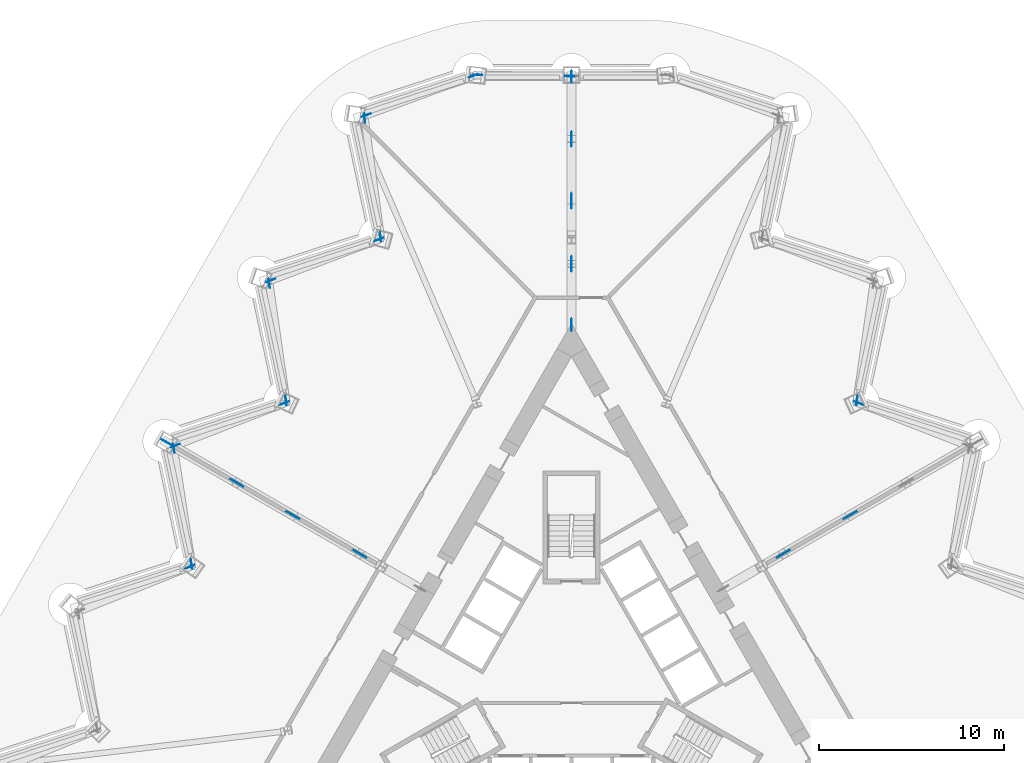
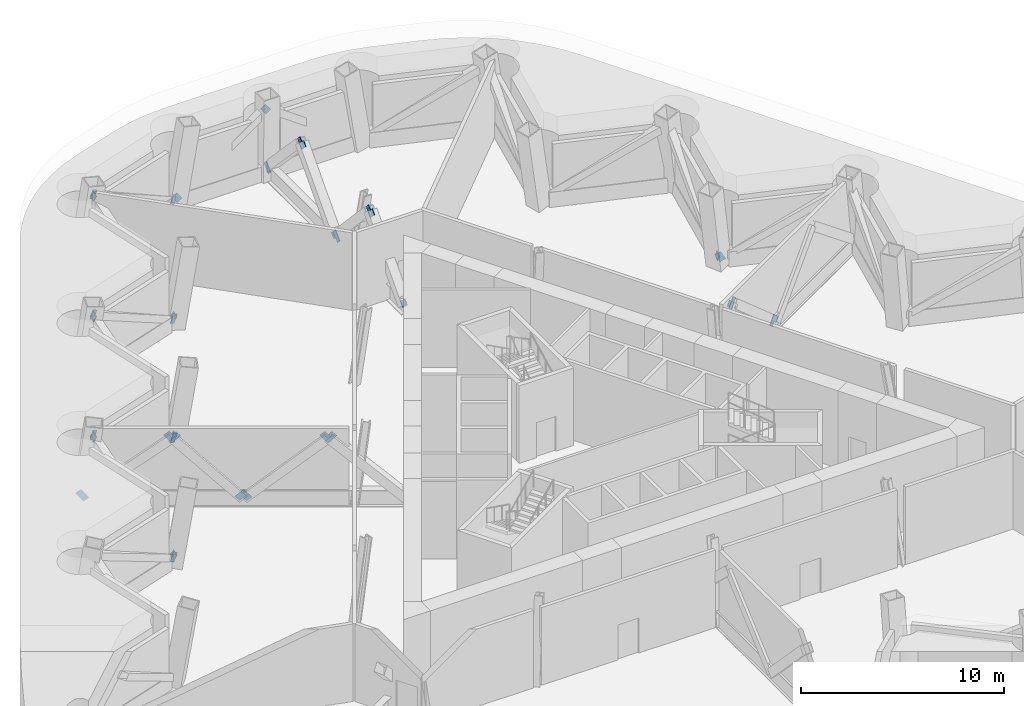
# One storey, part 10 of 13: 36 discrete accessories.
"""IFC4 building model written with IfcOpenShell, lengths in metres."""

from ifc_helpers import new_model, si_unit, direction, frame, origin, origin_2d, place, context, subcontext, project, spatial, rectangle, extrude, material, material_profile, profile_set, type_object, element, save


model = new_model("IFC4")

# Units and contexts
model_context = context("Model", 3, precision=1e-05, world=origin(), true_north=direction((0.0, 1.0)))
body_context = subcontext(model_context, "Body", "Model", "MODEL_VIEW")
ifc_project = project(units=[si_unit("LENGTHUNIT", "METRE"), si_unit("AREAUNIT", "SQUARE_METRE"), si_unit("VOLUMEUNIT", "CUBIC_METRE"), si_unit("PLANEANGLEUNIT", "RADIAN"), si_unit("MASSUNIT", "GRAM", prefix="KILO")], contexts=[model_context])

# Site, building, storey
site_placement = place(None, origin())
site = spatial("IfcSite", under=ifc_project, at=site_placement, CompositionType="ELEMENT")
building_placement = place(site_placement, origin())
building = spatial("IfcBuilding", under=site, at=building_placement, Name="Cormorant Prow Tower", CompositionType="ELEMENT")
storey_placement = place(building_placement, frame((0.0, 0.0, 164.199951171875)))
storey = spatial("IfcBuildingStorey", under=building, at=storey_placement, Name="L34", CompositionType="ELEMENT", Elevation=164.199951171875)

# Discrete accessories
ifc_material_1 = material(Name="Structural steel ASTM A500 Gr C", Category="steel")
ifc_material_profile_1 = material_profile(ifc_material_1, rectangle(XDim=0.031982421875, YDim=0.506103515625, at=origin_2d()), Name="Gusset plate 32x506")
ifc_profile_set_1 = profile_set([ifc_material_profile_1], Name="Structural steel ASTM A500 Gr C")
discrete_accessory_type_1 = type_object("IfcDiscreteAccessoryType", Name="Gusset plate 32x506", PredefinedType="BRACKET", material=ifc_profile_set_1)
for number, where, z_axis, x_axis, name in (
    (1, (15.65185546875, 14.697509765625, 0.599365234375), (-0.808307743308, 0.315233045708, -0.497259207057), (-0.363338299259, -0.931657276197, 0.0), "Gusset plate GP2 L34.ENE05.g0"),
    (2, (15.4462890625, 15.050537109375, 0.597900390625), (-0.1234295518, -0.861217494201, -0.493020865101), (0.98988526978, -0.14187019656, 0.0), "Gusset plate GP2 L34.ENE06.g0"),
    (3, (-4.954345703125, 32.47607421875, 0.62548828125), (-0.811283887229, 0.009766100104, -0.584570849095), (-0.012036961087, -0.99992755316, 0.0), "Gusset plate GP2 L34.N01.g0"),
):
    element("IfcDiscreteAccessory", number, at=place(storey_placement, frame(where, z_axis=z_axis, x_axis=x_axis)), inside=storey, type_object=discrete_accessory_type_1, Name=name, PredefinedType="BRACKET", context=body_context, shape_type="SweptSolid", body=[
        extrude(rectangle(XDim=0.031982421875, YDim=0.506103515625, at=origin_2d()), origin(), (0.0, 0.0, 1.0), 0.35009765625),
    ])
for number, where, z_axis, x_axis, name in (
    (4, (-0.2431640625, 32.41650390625, 4.0244140625), (0.810714138791, -0.009767640226, 0.585360724996), (0.012047318415, 0.999927428426, 0.0), "Gusset plate GP2 L34.N01.g1"),
    (5, (-5.4404296875, 32.3896484375, 0.601806640625), (0.809477767926, 0.297971557676, -0.505923604954), (-0.345442913665, 0.938439765461, 0.0), "Gusset plate GP2 L34.WNW00.g0"),
    (6, (-10.951904296875, 30.359619140625, 4.04833984375), (-0.809477767926, -0.297971557676, 0.505923604954), (0.345442913665, -0.938439765461, 0.0), "Gusset plate GP2 L34.WNW00.g1"),
):
    element("IfcDiscreteAccessory", number, at=place(storey_placement, frame(where, z_axis=z_axis, x_axis=x_axis)), inside=storey, type_object=discrete_accessory_type_1, Name=name, PredefinedType="BRACKET", context=body_context, shape_type="SweptSolid", body=[
        extrude(rectangle(XDim=0.031982421875, YDim=0.506103515625, at=origin_2d()), origin(), (0.0, 0.0, 1.0), 0.349853515625),
    ])
for number, where, z_axis, x_axis, name in (
    (7, (-10.33837890625, 23.89501953125, 0.5966796875), (0.116442343598, -0.864601832706, -0.488778939296), (0.991052530976, 0.133472397317, 0.0), "Gusset plate GP2 L34.WNW01.g0"),
    (8, (-11.159912109375, 30.0107421875, 4.053466796875), (-0.115793902651, 0.864966501733, 0.488287541301), (-0.991157952717, -0.132687274315, 0.0), "Gusset plate GP2 L34.WNW01.g1"),
    (9, (-10.546142578125, 23.543701171875, 0.6005859375), (0.809137407889, 0.306216656951, -0.501525686441), (-0.353949282153, 0.93526461799, 0.0), "Gusset plate GP2 L34.WNW02.g0"),
):
    element("IfcDiscreteAccessory", number, at=place(storey_placement, frame(where, z_axis=z_axis, x_axis=x_axis)), inside=storey, type_object=discrete_accessory_type_1, Name=name, PredefinedType="BRACKET", context=body_context, shape_type="SweptSolid", body=[
        extrude(rectangle(XDim=0.031982421875, YDim=0.506103515625, at=origin_2d()), origin(), (0.0, 0.0, 1.0), 0.35009765625),
    ])
discrete_accessory_1_placement = place(storey_placement, frame((-16.1064453125, 21.4345703125, 4.049560546875), z_axis=(-0.808723234691, -0.307021762954, 0.501701471737), x_axis=(0.35492170218, -0.934896029151, 0.0)))
element("IfcDiscreteAccessory", 10, at=discrete_accessory_1_placement, inside=storey, type_object=discrete_accessory_type_1, Name="Gusset plate GP2 L34.WNW02.g1", PredefinedType="BRACKET", context=body_context, shape_type="SweptSolid", body=[
    extrude(rectangle(XDim=0.031982421875, YDim=0.506103515625, at=origin_2d()), origin(), (0.0, 0.0, 1.0), 0.349853515625),
])
for number, where, z_axis, x_axis, name in (
    (11, (-15.4462890625, 15.050537109375, 0.597900390625), (0.1234295518, -0.861217494201, -0.493020865101), (0.98988526978, 0.14187019656, 0.0), "Gusset plate GP2 L34.WNW03.g0"),
    (12, (-16.31201171875, 21.084228515625, 4.05224609375), (-0.123471979254, 0.861513527565, 0.49249275341), (-0.98988526978, -0.14187019656, 0.0), "Gusset plate GP2 L34.WNW03.g1"),
    (13, (-15.65185546875, 14.697509765625, 0.599365234375), (0.808307743308, 0.315233045708, -0.497259207057), (-0.363338299259, 0.931657276197, 0.0), "Gusset plate GP2 L34.WNW04.g0"),
):
    element("IfcDiscreteAccessory", number, at=place(storey_placement, frame(where, z_axis=z_axis, x_axis=x_axis)), inside=storey, type_object=discrete_accessory_type_1, Name=name, PredefinedType="BRACKET", context=body_context, shape_type="SweptSolid", body=[
        extrude(rectangle(XDim=0.031982421875, YDim=0.506103515625, at=origin_2d()), origin(), (0.0, 0.0, 1.0), 0.35009765625),
    ])
discrete_accessory_2_placement = place(storey_placement, frame((-21.260986328125, 12.509521484375, 4.05078125), z_axis=(-0.808065786673, -0.315410825195, 0.497539642399), x_axis=(0.363610594907, -0.931551037395, 0.0)))
element("IfcDiscreteAccessory", 14, at=discrete_accessory_2_placement, inside=storey, type_object=discrete_accessory_type_1, Name="Gusset plate GP2 L34.WNW04.g1", PredefinedType="BRACKET", context=body_context, shape_type="SweptSolid", body=[
    extrude(rectangle(XDim=0.031982421875, YDim=0.506103515625, at=origin_2d()), origin(), (0.0, 0.0, 1.0), 0.349853515625),
])
discrete_accessory_3_placement = place(storey_placement, frame((-20.554443359375, 6.2060546875, 0.599365234375), z_axis=(0.131093621433, -0.857686991292, -0.49717953235), x_axis=(0.988519881913, 0.15109084374, 0.0)))
element("IfcDiscreteAccessory", 15, at=discrete_accessory_3_placement, inside=storey, type_object=discrete_accessory_type_1, Name="Gusset plate GP2 L34.WNW05.g0", PredefinedType="BRACKET", context=body_context, shape_type="SweptSolid", body=[
    extrude(rectangle(XDim=0.031982421875, YDim=0.506103515625, at=origin_2d()), origin(), (0.0, 0.0, 1.0), 0.35009765625),
])
discrete_accessory_4_placement = place(storey_placement, frame((-21.464111328125, 12.15771484375, 4.05078125), z_axis=(-0.131172063166, 0.857502476763, 0.497477026796), x_axis=(-0.988501513385, -0.151210971942, 0.0)))
element("IfcDiscreteAccessory", 16, at=discrete_accessory_4_placement, inside=storey, type_object=discrete_accessory_type_1, Name="Gusset plate GP2 L34.WNW05.g1", PredefinedType="BRACKET", context=body_context, shape_type="SweptSolid", body=[
    extrude(rectangle(XDim=0.031982421875, YDim=0.506103515625, at=origin_2d()), origin(), (0.0, 0.0, 1.0), 0.349853515625),
])
discrete_accessory_5_placement = place(storey_placement, frame((-20.75732421875, 5.8515625, 0.597900390625), z_axis=(0.807579883595, 0.323589867002, -0.493056112005), x_axis=(-0.371943439653, 0.928255394651, 0.0)))
element("IfcDiscreteAccessory", 17, at=discrete_accessory_5_placement, inside=storey, type_object=discrete_accessory_type_1, Name="Gusset plate GP2 L34.WNW06.g0", PredefinedType="BRACKET", context=body_context, shape_type="SweptSolid", body=[
    extrude(rectangle(XDim=0.031982421875, YDim=0.506103515625, at=origin_2d()), origin(), (0.0, 0.0, 1.0), 0.35009765625),
])
ifc_material_2 = material(Name="Structural steel ASTM A500 Gr C", Category="steel")
ifc_material_profile_2 = material_profile(ifc_material_2, rectangle(XDim=0.031982421875, YDim=0.60791015625, at=origin_2d()), Name="Gusset plate 32x608")
ifc_profile_set_2 = profile_set([ifc_material_profile_2], Name="Structural steel ASTM A500 Gr C")
discrete_accessory_type_2 = type_object("IfcDiscreteAccessoryType", Name="Gusset plate 32x608", PredefinedType="BRACKET", material=ifc_profile_set_2)
discrete_accessory_6_placement = place(storey_placement, frame((0.0, 19.106201171875, 0.720458984375), z_axis=(0.0, -0.67865661304, -0.734455717915), x_axis=(1.0, 0.0, 0.0)))
element("IfcDiscreteAccessory", 18, at=discrete_accessory_6_placement, inside=storey, type_object=discrete_accessory_type_2, Name="Gusset plate GP1 L34.01.1.g0", PredefinedType="BRACKET", context=body_context, shape_type="SweptSolid", body=[
    extrude(rectangle(XDim=0.031982421875, YDim=0.60791015625, at=origin_2d()), origin(), (0.0, 0.0, 1.0), 0.35009765625),
])
for number, where, z_axis, x_axis, name in (
    (19, (0.0, 22.0732421875, 3.9296875), (0.0, 0.679004373655, 0.734134225164), (-1.0, 0.0, 0.0), "Gusset plate GP1 L34.01.1.g1"),
    (20, (0.0, 22.48193359375, 3.930908203125), (0.0, -0.683709023667, 0.729754733425), (1.0, 0.0, 0.0), "Gusset plate GP1 L34.01.2.g0"),
):
    element("IfcDiscreteAccessory", number, at=place(storey_placement, frame(where, z_axis=z_axis, x_axis=x_axis)), inside=storey, type_object=discrete_accessory_type_2, Name=name, PredefinedType="BRACKET", context=body_context, shape_type="SweptSolid", body=[
        extrude(rectangle(XDim=0.031982421875, YDim=0.60791015625, at=origin_2d()), origin(), (0.0, 0.0, 1.0), 0.349853515625),
    ])
discrete_accessory_7_placement = place(storey_placement, frame((0.0, 25.48974609375, 0.71923828125), z_axis=(0.0, 0.683361031596, -0.730080612327), x_axis=(-1.0, 0.0, 0.0)))
element("IfcDiscreteAccessory", 21, at=discrete_accessory_7_placement, inside=storey, type_object=discrete_accessory_type_2, Name="Gusset plate GP1 L34.01.2.g1", PredefinedType="BRACKET", context=body_context, shape_type="SweptSolid", body=[
    extrude(rectangle(XDim=0.031982421875, YDim=0.60791015625, at=origin_2d()), origin(), (0.0, 0.0, 1.0), 0.35009765625),
])
discrete_accessory_8_placement = place(storey_placement, frame((0.0, 25.89697265625, 0.7216796875), z_axis=(0.0, -0.674269364021, -0.738485493928), x_axis=(1.0, 0.0, 0.0)))
element("IfcDiscreteAccessory", 22, at=discrete_accessory_8_placement, inside=storey, type_object=discrete_accessory_type_2, Name="Gusset plate GP1 L34.01.3.g0", PredefinedType="BRACKET", context=body_context, shape_type="SweptSolid", body=[
    extrude(rectangle(XDim=0.031982421875, YDim=0.60791015625, at=origin_2d()), origin(), (0.0, 0.0, 1.0), 0.349853515625),
])
for number, where, z_axis, x_axis, name in (
    (23, (0.0, 28.822998046875, 3.92822265625), (0.0, 0.674302431834, 0.73845530022), (-1.0, 0.0, 0.0), "Gusset plate GP1 L34.01.3.g1"),
    (24, (0.0, 29.231689453125, 3.93212890625), (0.0, -0.687667264764, 0.72602598643), (1.0, 0.0, 0.0), "Gusset plate GP1 L34.01.4.g0"),
):
    element("IfcDiscreteAccessory", number, at=place(storey_placement, frame(where, z_axis=z_axis, x_axis=x_axis)), inside=storey, type_object=discrete_accessory_type_2, Name=name, PredefinedType="BRACKET", context=body_context, shape_type="SweptSolid", body=[
        extrude(rectangle(XDim=0.031982421875, YDim=0.60791015625, at=origin_2d()), origin(), (0.0, 0.0, 1.0), 0.35009765625),
    ])
discrete_accessory_9_placement = place(storey_placement, frame((0.0, 32.280517578125, 0.7177734375), z_axis=(0.0, 0.688015564514, -0.725695930116), x_axis=(-1.0, 0.0, 0.0)))
element("IfcDiscreteAccessory", 25, at=discrete_accessory_9_placement, inside=storey, type_object=discrete_accessory_type_2, Name="Gusset plate GP1 L34.01.4.g1", PredefinedType="BRACKET", context=body_context, shape_type="SweptSolid", body=[
    extrude(rectangle(XDim=0.031982421875, YDim=0.60791015625, at=origin_2d()), origin(), (0.0, 0.0, 1.0), 0.349853515625),
])
for number, where, z_axis, x_axis, name in (
    (26, (-11.254150390625, 6.49755859375, 3.943115234375), (-0.627586375233, 0.362605461246, 0.688950376367), (-0.500277597875, -0.865865073245, 0.0), "Gusset plate GP1 L34.03.1.g1"),
    (27, (-11.637939453125, 6.71923828125, 3.952392578125), (0.651525235535, -0.376684825684, 0.658500880455), (0.500524658665, 0.865722279988, 0.0), "Gusset plate GP1 L34.03.2.g0"),
    (28, (-14.862548828125, 8.580810546875, 0.69775390625), (-0.651926420698, 0.376513654735, -0.658201648277), (-0.50012328804, -0.865954211699, 0.0), "Gusset plate GP1 L34.03.2.g1"),
    (29, (-15.238037109375, 8.797607421875, 0.716796875), (0.599203525098, -0.345989462688, -0.7219739796), (0.500042431503, 0.866000904559, 0.0), "Gusset plate GP1 L34.03.3.g0"),
    (30, (-17.907470703125, 10.3388671875, 3.933349609375), (-0.599203525098, 0.345989462688, 0.7219739796), (-0.500042431503, -0.866000904559, 0.0), "Gusset plate GP1 L34.03.3.g1"),
):
    element("IfcDiscreteAccessory", number, at=place(storey_placement, frame(where, z_axis=z_axis, x_axis=x_axis)), inside=storey, type_object=discrete_accessory_type_2, Name=name, PredefinedType="BRACKET", context=body_context, shape_type="SweptSolid", body=[
        extrude(rectangle(XDim=0.031982421875, YDim=0.60791015625, at=origin_2d()), origin(), (0.0, 0.0, 1.0), 0.35009765625),
    ])
discrete_accessory_10_placement = place(storey_placement, frame((-18.289306640625, 10.559326171875, 3.961181640625), z_axis=(0.673350765048, -0.38895416863, 0.628739534238), x_axis=(0.500187988959, 0.865916841101, 0.0)))
element("IfcDiscreteAccessory", 31, at=discrete_accessory_10_placement, inside=storey, type_object=discrete_accessory_type_2, Name="Gusset plate GP1 L34.03.4.g0", PredefinedType="BRACKET", context=body_context, shape_type="SweptSolid", body=[
    extrude(rectangle(XDim=0.031982421875, YDim=0.60791015625, at=origin_2d()), origin(), (0.0, 0.0, 1.0), 0.350341796875),
])
for number, where, z_axis, x_axis, name in (
    (32, (-21.794189453125, 12.5830078125, 0.688720703125), (-0.673828610239, 0.388532645862, -0.628488175802), (-0.499515409713, -0.866305001405, 0.0), "Gusset plate GP1 L34.03.4.g1"),
    (33, (11.254150390625, 6.49755859375, 3.943115234375), (0.627586375233, 0.362605461246, 0.688950376367), (-0.500277597875, 0.865865073245, 0.0), "Gusset plate GP1 L34.11.1.g1"),
    (34, (11.637939453125, 6.71923828125, 3.952392578125), (-0.651525235535, -0.376684825684, 0.658500880455), (0.500524658665, -0.865722279988, 0.0), "Gusset plate GP1 L34.11.2.g0"),
    (35, (14.862548828125, 8.580810546875, 0.69775390625), (0.651926420698, 0.376513654735, -0.658201648277), (-0.50012328804, 0.865954211699, 0.0), "Gusset plate GP1 L34.11.2.g1"),
    (36, (15.238037109375, 8.797607421875, 0.716796875), (-0.599203525098, -0.345989462688, -0.7219739796), (0.500042431503, -0.866000904559, 0.0), "Gusset plate GP1 L34.11.3.g0"),
):
    element("IfcDiscreteAccessory", number, at=place(storey_placement, frame(where, z_axis=z_axis, x_axis=x_axis)), inside=storey, type_object=discrete_accessory_type_2, Name=name, PredefinedType="BRACKET", context=body_context, shape_type="SweptSolid", body=[
        extrude(rectangle(XDim=0.031982421875, YDim=0.60791015625, at=origin_2d()), origin(), (0.0, 0.0, 1.0), 0.35009765625),
    ])

save(model, "model.ifc")
